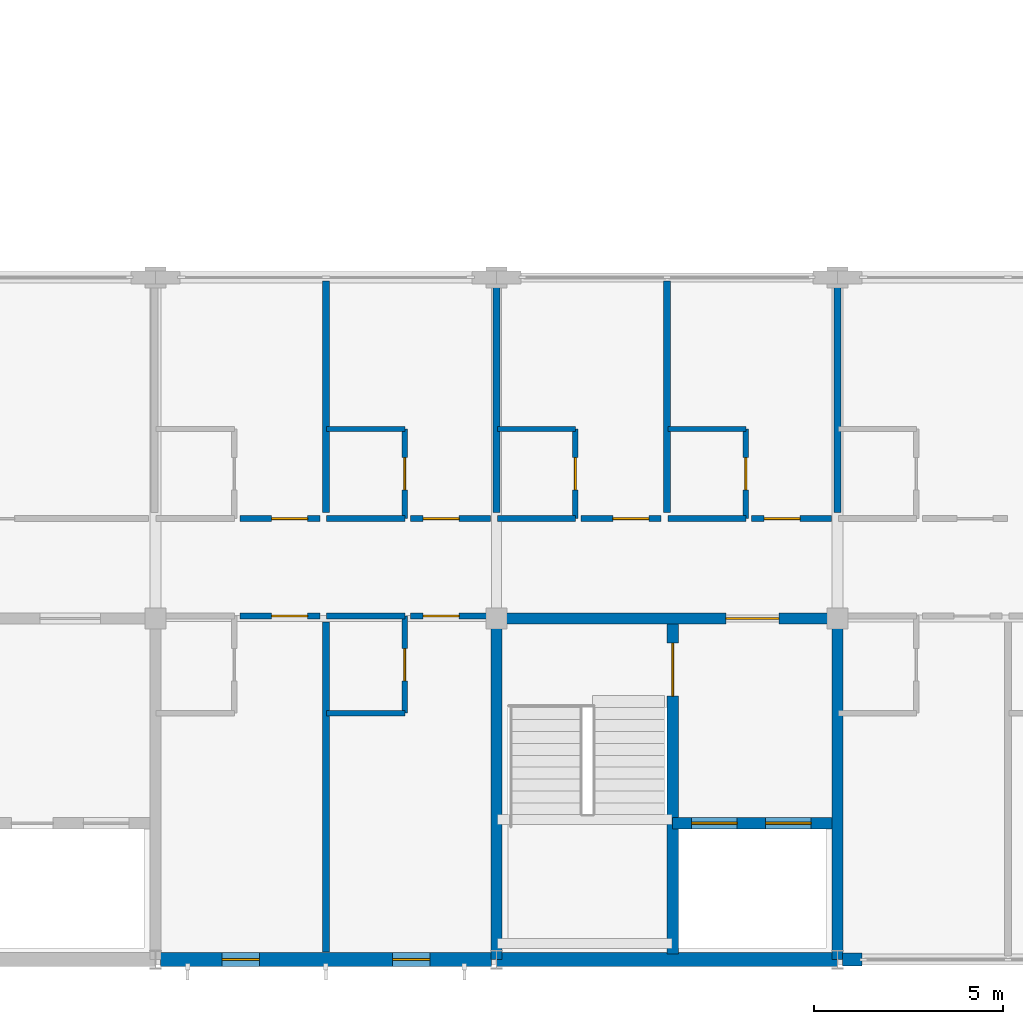
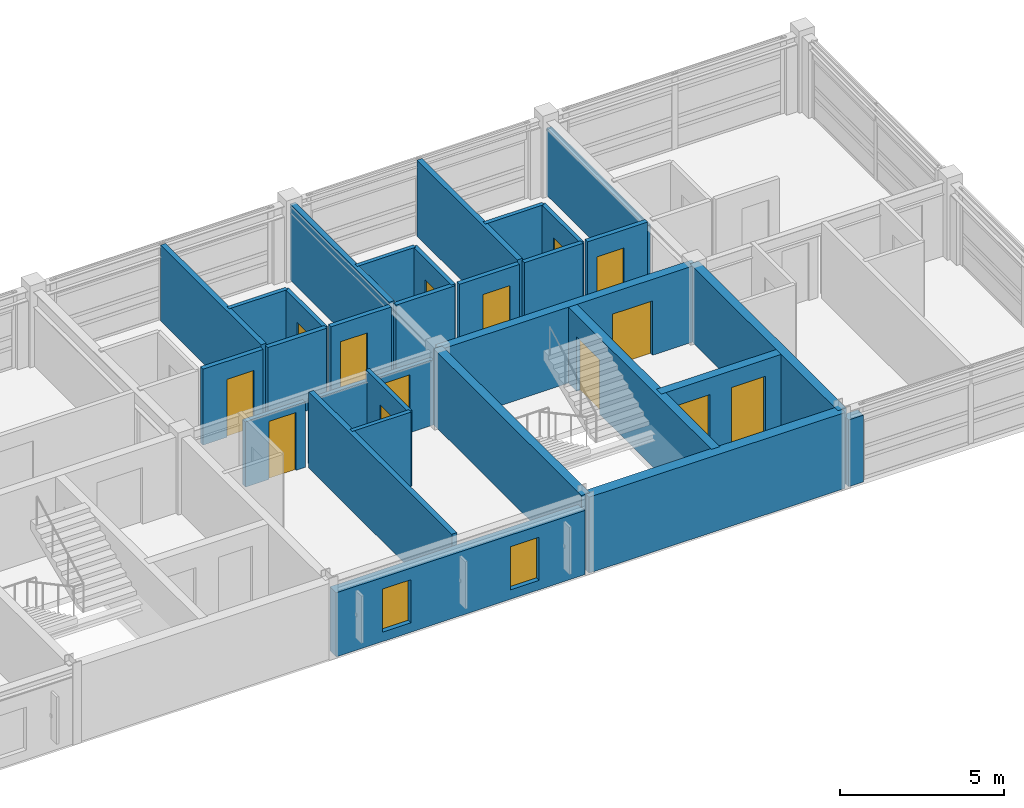
# One storey, part 18 of 30: 31 walls, 14 doors, 2 windows, 16 openings.
"""IFC4 building model written with IfcOpenShell, lengths in metres."""

from ifc_helpers import new_model, si_unit, direction, frame, frame_2d, origin, place, context, subcontext, project, spatial, rectangle, extrude, material, layer, layer_set, type_object, element, fill, save


model = new_model("IFC4")

# Units and contexts
model_context = context("Model", 3, precision=1e-05, world=origin(), true_north=direction((0.0, 1.0)))
body_context = subcontext(model_context, "Body", "Model", "MODEL_VIEW")
ifc_project = project(units=[si_unit("LENGTHUNIT", "METRE"), si_unit("AREAUNIT", "SQUARE_METRE"), si_unit("VOLUMEUNIT", "CUBIC_METRE"), si_unit("PLANEANGLEUNIT", "RADIAN"), si_unit("MASSUNIT", "GRAM", prefix="KILO")], contexts=[model_context])

# Site, building, storey
site_placement = place(None, origin())
site = spatial("IfcSite", under=ifc_project, at=site_placement, CompositionType="ELEMENT")
building_placement = place(site_placement, origin())
building = spatial("IfcBuilding", under=site, at=building_placement, Name="Palais des Congres Ocreval", CompositionType="ELEMENT")
storey_placement = place(building_placement, frame((0.0, 0.0, 14.56005859375)))
storey = spatial("IfcBuildingStorey", under=building, at=storey_placement, Name="L04", CompositionType="ELEMENT", Elevation=14.56005859375)

# Wall, opening, door
ifc_material_1 = material(Name="Moisture-resistant gypsum board")
ifc_layer_1 = layer(ifc_material_1, 0.139892578125)
ifc_layer_set_1 = layer_set([ifc_layer_1], Name="Bathroom Plumbing Chase Wall 140 Gypsum (Moisture-resistant gypsum board)")
wall_type_1 = type_object("IfcWallType", Name="Bathroom Plumbing Chase Wall 140 Gypsum", PredefinedType="PLUMBINGWALL", material=ifc_layer_set_1)
wall_1_placement = place(storey_placement, frame((51.580078125, 6.5, 0.0), z_axis=(0.0, 0.0, 1.0), x_axis=(0.0, 1.0, 0.0)))
wall_1 = element("IfcWall", 1, at=wall_1_placement, inside=storey, type_object=wall_type_1, Name="Bathroom Plumbing Wall PW03 L04", PredefinedType="PLUMBINGWALL", context=body_context, shape_type="SweptSolid", body=[
    extrude(rectangle(XDim=2.56005859375, YDim=0.139892578125, at=frame_2d((1.280029296875, 0.0))), origin(), (0.0, 0.0, 1.0), 2.81982421875),
])
opening_1_placement = place(wall_1_placement, frame((0.85498046875, 0.0, 0.0)))
opening_1 = element("IfcOpeningElement", 2, at=opening_1_placement, cuts=wall_1, Name="Opening D08", PredefinedType="OPENING", context=body_context, shape_type="SweptSolid", body=[
    extrude(rectangle(XDim=0.85009765625, YDim=2.0400390625, at=frame_2d((0.425048828125, 1.02001953125))), frame((0.0, 0.079833984375, 0.0), z_axis=(0.0, -1.0, 0.0), x_axis=(1.0, 0.0, 0.0)), (0.0, 0.0, 1.0), 0.159912109375),
])
ifc_material_2 = material(Name="Solid French oak", Category="wood")
door_type_1 = type_object("IfcDoorType", Name="En-Suite Bathroom Door 850x2040", OperationType="NOTDEFINED", PredefinedType="DOOR", material=ifc_material_2)
door_1_placement = place(opening_1_placement, origin())
door_1 = element("IfcDoor", 3, at=door_1_placement, inside=storey, type_object=door_type_1, Name="En-Suite Bathroom Door D08 L04", OperationType="SINGLE_SWING_RIGHT", OverallHeight=2.0400390625, OverallWidth=0.85009765625, PredefinedType="DOOR", context=body_context, shape_type="SweptSolid", body=[
    extrude(rectangle(XDim=0.85009765625, YDim=2.0400390625, at=frame_2d((0.425048828125, 1.02001953125))), frame((0.0, 0.02490234375, 0.0), z_axis=(0.0, -1.0, 0.0), x_axis=(1.0, 0.0, 0.0)), (0.0, 0.0, 1.0), 0.050048828125),
])
fill(opening_1, door_1)

# Wall
wall_2_placement = place(storey_placement, frame((49.52001953125, 6.5, 0.0), z_axis=(0.0, 0.0, 1.0), x_axis=(1.0, 0.0, 0.0)))
element("IfcWall", 4, at=wall_2_placement, inside=storey, type_object=wall_type_1, Name="Bathroom Plumbing Wall PW03 L04", PredefinedType="PLUMBINGWALL", context=body_context, shape_type="SweptSolid", body=[
    extrude(rectangle(XDim=2.06005859375, YDim=0.139892578125, at=frame_2d((1.030029296875, 0.0))), origin(), (0.0, 0.0, 1.0), 2.81982421875),
])

# Wall, opening, door
wall_3_placement = place(storey_placement, frame((51.580078125, 11.639892578125, 0.0), z_axis=(0.0, 0.0, 1.0), x_axis=(0.0, 1.0, 0.0)))
wall_3 = element("IfcWall", 5, at=wall_3_placement, inside=storey, type_object=wall_type_1, Name="Bathroom Plumbing Wall PW03 L04", PredefinedType="PLUMBINGWALL", context=body_context, shape_type="SweptSolid", body=[
    extrude(rectangle(XDim=2.360107421875, YDim=0.139892578125, at=frame_2d((1.18017578125, 0.0))), origin(), (0.0, 0.0, 1.0), 2.81982421875),
])
opening_2_placement = place(wall_3_placement, frame((0.7548828125, 0.0, 0.0)))
opening_2 = element("IfcOpeningElement", 6, at=opening_2_placement, cuts=wall_3, Name="Opening D08", PredefinedType="OPENING", context=body_context, shape_type="SweptSolid", body=[
    extrude(rectangle(XDim=0.85009765625, YDim=2.0400390625, at=frame_2d((0.425048828125, 1.02001953125))), frame((0.0, 0.079833984375, 0.0), z_axis=(0.0, -1.0, 0.0), x_axis=(1.0, 0.0, 0.0)), (0.0, 0.0, 1.0), 0.159912109375),
])
door_2_placement = place(opening_2_placement, origin())
door_2 = element("IfcDoor", 7, at=door_2_placement, inside=storey, type_object=door_type_1, Name="En-Suite Bathroom Door D08 L04", OperationType="SINGLE_SWING_LEFT", OverallHeight=2.0400390625, OverallWidth=0.85009765625, PredefinedType="DOOR", context=body_context, shape_type="SweptSolid", body=[
    extrude(rectangle(XDim=0.85009765625, YDim=2.0400390625, at=frame_2d((0.425048828125, 1.02001953125))), frame((0.0, 0.02490234375, 0.0), z_axis=(0.0, -1.0, 0.0), x_axis=(1.0, 0.0, 0.0)), (0.0, 0.0, 1.0), 0.050048828125),
])
fill(opening_2, door_2)

# Wall
wall_4_placement = place(storey_placement, frame((49.52001953125, 14.0, 0.0), z_axis=(0.0, 0.0, 1.0), x_axis=(1.0, 0.0, 0.0)))
element("IfcWall", 8, at=wall_4_placement, inside=storey, type_object=wall_type_1, Name="Bathroom Plumbing Wall PW03 L04", PredefinedType="PLUMBINGWALL", context=body_context, shape_type="SweptSolid", body=[
    extrude(rectangle(XDim=2.06005859375, YDim=0.139892578125, at=frame_2d((1.030029296875, 0.0))), origin(), (0.0, 0.0, 1.0), 2.81982421875),
])

# Wall, opening, door
wall_5_placement = place(storey_placement, frame((56.080078125, 11.639892578125, 0.0), z_axis=(0.0, 0.0, 1.0), x_axis=(0.0, 1.0, 0.0)))
wall_5 = element("IfcWall", 9, at=wall_5_placement, inside=storey, type_object=wall_type_1, Name="Bathroom Plumbing Wall PW03 L04", PredefinedType="PLUMBINGWALL", context=body_context, shape_type="SweptSolid", body=[
    extrude(rectangle(XDim=2.360107421875, YDim=0.139892578125, at=frame_2d((1.18017578125, 0.0))), origin(), (0.0, 0.0, 1.0), 2.81982421875),
])
opening_3_placement = place(wall_5_placement, frame((0.7548828125, 0.0, 0.0)))
opening_3 = element("IfcOpeningElement", 10, at=opening_3_placement, cuts=wall_5, Name="Opening D08", PredefinedType="OPENING", context=body_context, shape_type="SweptSolid", body=[
    extrude(rectangle(XDim=0.85009765625, YDim=2.0400390625, at=frame_2d((0.425048828125, 1.02001953125))), frame((0.0, 0.079833984375, 0.0), z_axis=(0.0, -1.0, 0.0), x_axis=(1.0, 0.0, 0.0)), (0.0, 0.0, 1.0), 0.159912109375),
])
door_3_placement = place(opening_3_placement, origin())
door_3 = element("IfcDoor", 11, at=door_3_placement, inside=storey, type_object=door_type_1, Name="En-Suite Bathroom Door D08 L04", OperationType="SINGLE_SWING_RIGHT", OverallHeight=2.0400390625, OverallWidth=0.85009765625, PredefinedType="DOOR", context=body_context, shape_type="SweptSolid", body=[
    extrude(rectangle(XDim=0.85009765625, YDim=2.0400390625, at=frame_2d((0.425048828125, 1.02001953125))), frame((0.0, 0.02490234375, 0.0), z_axis=(0.0, -1.0, 0.0), x_axis=(1.0, 0.0, 0.0)), (0.0, 0.0, 1.0), 0.050048828125),
])
fill(opening_3, door_3)

# Wall
wall_6_placement = place(storey_placement, frame((54.02001953125, 14.0, 0.0), z_axis=(0.0, 0.0, 1.0), x_axis=(1.0, 0.0, 0.0)))
element("IfcWall", 12, at=wall_6_placement, inside=storey, type_object=wall_type_1, Name="Bathroom Plumbing Wall PW03 L04", PredefinedType="PLUMBINGWALL", context=body_context, shape_type="SweptSolid", body=[
    extrude(rectangle(XDim=2.06005859375, YDim=0.139892578125, at=frame_2d((1.030029296875, 0.0))), origin(), (0.0, 0.0, 1.0), 2.81982421875),
])

# Wall, opening, door
wall_7_placement = place(storey_placement, frame((60.580078125, 11.639892578125, 0.0), z_axis=(0.0, 0.0, 1.0), x_axis=(0.0, 1.0, 0.0)))
wall_7 = element("IfcWall", 13, at=wall_7_placement, inside=storey, type_object=wall_type_1, Name="Bathroom Plumbing Wall PW03 L04", PredefinedType="PLUMBINGWALL", context=body_context, shape_type="SweptSolid", body=[
    extrude(rectangle(XDim=2.360107421875, YDim=0.139892578125, at=frame_2d((1.18017578125, 0.0))), origin(), (0.0, 0.0, 1.0), 2.81982421875),
])
opening_4_placement = place(wall_7_placement, frame((0.7548828125, 0.0, 0.0)))
opening_4 = element("IfcOpeningElement", 14, at=opening_4_placement, cuts=wall_7, Name="Opening D08", PredefinedType="OPENING", context=body_context, shape_type="SweptSolid", body=[
    extrude(rectangle(XDim=0.85009765625, YDim=2.0400390625, at=frame_2d((0.425048828125, 1.02001953125))), frame((0.0, 0.079833984375, 0.0), z_axis=(0.0, -1.0, 0.0), x_axis=(1.0, 0.0, 0.0)), (0.0, 0.0, 1.0), 0.159912109375),
])
door_4_placement = place(opening_4_placement, origin())
door_4 = element("IfcDoor", 15, at=door_4_placement, inside=storey, type_object=door_type_1, Name="En-Suite Bathroom Door D08 L04", OperationType="SINGLE_SWING_LEFT", OverallHeight=2.0400390625, OverallWidth=0.85009765625, PredefinedType="DOOR", context=body_context, shape_type="SweptSolid", body=[
    extrude(rectangle(XDim=0.85009765625, YDim=2.0400390625, at=frame_2d((0.425048828125, 1.02001953125))), frame((0.0, 0.02490234375, 0.0), z_axis=(0.0, -1.0, 0.0), x_axis=(1.0, 0.0, 0.0)), (0.0, 0.0, 1.0), 0.050048828125),
])
fill(opening_4, door_4)

# Walls
wall_8_placement = place(storey_placement, frame((58.52001953125, 14.0, 0.0), z_axis=(0.0, 0.0, 1.0), x_axis=(1.0, 0.0, 0.0)))
element("IfcWall", 16, at=wall_8_placement, inside=storey, type_object=wall_type_1, Name="Bathroom Plumbing Wall PW03 L04", PredefinedType="PLUMBINGWALL", context=body_context, shape_type="SweptSolid", body=[
    extrude(rectangle(XDim=2.06005859375, YDim=0.139892578125, at=frame_2d((1.030029296875, 0.0))), origin(), (0.0, 0.0, 1.0), 2.81982421875),
])
ifc_material_3 = material(Name="Concrete C40/50", Category="concrete")
ifc_layer_2 = layer(ifc_material_3, 0.300048828125)
ifc_layer_set_2 = layer_set([ifc_layer_2], Name="Core Shear Wall 300 Concrete C40/50")
wall_type_2 = type_object("IfcWallType", Name="Core Shear Wall 300 Concrete C40/50", PredefinedType="SHEAR", material=ifc_layer_set_2)
wall_9_placement = place(storey_placement, frame((63.0, 0.0, 0.0), z_axis=(0.0, 0.0, 1.0), x_axis=(0.0, 1.0, 0.0)))
element("IfcWall", 17, at=wall_9_placement, inside=storey, type_object=wall_type_2, Name="Core Shear Wall SC04 L04 E", PredefinedType="SHEAR", context=body_context, shape_type="SweptSolid", body=[
    extrude(rectangle(XDim=9.0, YDim=0.300048828125, at=frame_2d((4.5, 0.0))), origin(), (0.0, 0.0, 1.0), 2.81982421875),
])

# Wall, opening, door
wall_10_placement = place(storey_placement, frame((54.0, 9.0, 0.0), z_axis=(0.0, 0.0, 1.0), x_axis=(1.0, 0.0, 0.0)))
wall_10 = element("IfcWall", 18, at=wall_10_placement, inside=storey, type_object=wall_type_2, Name="Core Shear Wall SC04 L04 N", PredefinedType="SHEAR", context=body_context, shape_type="SweptSolid", body=[
    extrude(rectangle(XDim=9.0, YDim=0.300048828125, at=frame_2d((4.5, 0.0))), origin(), (0.0, 0.0, 1.0), 2.81982421875),
])
opening_5_placement = place(wall_10_placement, frame((6.050048828125, 0.0, 0.0)))
opening_5 = element("IfcOpeningElement", 19, at=opening_5_placement, cuts=wall_10, Name="Opening D03", PredefinedType="OPENING", context=body_context, shape_type="SweptSolid", body=[
    extrude(rectangle(XDim=1.39990234375, YDim=2.02001953125, at=frame_2d((0.699951171875, 1.010009765625))), frame((0.0, 0.159912109375, 0.0), z_axis=(0.0, -1.0, 0.0), x_axis=(1.0, 0.0, 0.0)), (0.0, 0.0, 1.0), 0.320068359375),
])
ifc_material_4 = material(Name="Painted fire-rated steel", Category="steel")
door_type_2 = type_object("IfcDoorType", Name="Core Lobby Rated Door 1400x2020", OperationType="NOTDEFINED", PredefinedType="DOOR", material=ifc_material_4)
door_5_placement = place(opening_5_placement, origin())
door_5 = element("IfcDoor", 20, at=door_5_placement, inside=storey, type_object=door_type_2, Name="Lobby Entrance Door SC04 L04", OperationType="DOUBLE_DOOR_SINGLE_SWING", OverallHeight=2.02001953125, OverallWidth=1.39990234375, PredefinedType="DOOR", context=body_context, shape_type="SweptSolid", body=[
    extrude(rectangle(XDim=1.39990234375, YDim=2.02001953125, at=frame_2d((0.699951171875, 1.010009765625))), frame((0.0, 0.02490234375, 0.0), z_axis=(0.0, -1.0, 0.0), x_axis=(1.0, 0.0, 0.0)), (0.0, 0.0, 1.0), 0.050048828125),
])
fill(opening_5, door_5)

# Wall
wall_11_placement = place(storey_placement, frame((54.0, 0.0, 0.0), z_axis=(0.0, 0.0, 1.0), x_axis=(0.0, 1.0, 0.0)))
element("IfcWall", 21, at=wall_11_placement, inside=storey, type_object=wall_type_2, Name="Core Shear Wall SC04 L04 W", PredefinedType="SHEAR", context=body_context, shape_type="SweptSolid", body=[
    extrude(rectangle(XDim=9.0, YDim=0.300048828125, at=frame_2d((4.5, 0.0))), origin(), (0.0, 0.0, 1.0), 2.81982421875),
])

# Wall, opening, door
wall_12_placement = place(storey_placement, frame((58.64990234375, 0.14990234375, 0.0), z_axis=(0.0, 0.0, 1.0), x_axis=(0.0, 1.0, 0.0)))
wall_12 = element("IfcWall", 22, at=wall_12_placement, inside=storey, type_object=wall_type_2, Name="Core Spine Shear Wall SC04 L04", PredefinedType="SHEAR", context=body_context, shape_type="SweptSolid", body=[
    extrude(rectangle(XDim=8.7001953125, YDim=0.300048828125, at=frame_2d((4.35009765625, 0.0))), origin(), (0.0, 0.0, 1.0), 2.81982421875),
])
opening_6_placement = place(wall_12_placement, frame((6.800048828125, 0.0, 0.0)))
opening_6 = element("IfcOpeningElement", 23, at=opening_6_placement, cuts=wall_12, Name="Opening D03", PredefinedType="OPENING", context=body_context, shape_type="SweptSolid", body=[
    extrude(rectangle(XDim=1.39990234375, YDim=2.02001953125, at=frame_2d((0.699951171875, 1.010009765625))), frame((0.0, 0.159912109375, 0.0), z_axis=(0.0, -1.0, 0.0), x_axis=(1.0, 0.0, 0.0)), (0.0, 0.0, 1.0), 0.320068359375),
])
door_6_placement = place(opening_6_placement, origin())
door_6 = element("IfcDoor", 24, at=door_6_placement, inside=storey, type_object=door_type_2, Name="Protected Exit Stair Door ST04 L04", OperationType="SINGLE_SWING_RIGHT", OverallHeight=2.02001953125, OverallWidth=1.39990234375, PredefinedType="DOOR", context=body_context, shape_type="SweptSolid", body=[
    extrude(rectangle(XDim=1.39990234375, YDim=2.02001953125, at=frame_2d((0.699951171875, 1.010009765625))), frame((0.0, 0.02490234375, 0.0), z_axis=(0.0, -1.0, 0.0), x_axis=(1.0, 0.0, 0.0)), (0.0, 0.0, 1.0), 0.050048828125),
])
fill(opening_6, door_6)

# Wall, openings, doors
wall_13_placement = place(storey_placement, frame((58.64990234375, 3.60009765625, 0.0), z_axis=(0.0, 0.0, 1.0), x_axis=(1.0, 0.0, 0.0)))
wall_13 = element("IfcWall", 25, at=wall_13_placement, inside=storey, type_object=wall_type_2, Name="Lift Shaft Front Wall SC04 L04", PredefinedType="SHEAR", context=body_context, shape_type="SweptSolid", body=[
    extrude(rectangle(XDim=4.2001953125, YDim=0.300048828125, at=frame_2d((2.10009765625, 0.0))), origin(), (0.0, 0.0, 1.0), 2.81982421875),
])
opening_7_placement = place(wall_13_placement, frame((0.5, 0.0, 0.0)))
opening_7 = element("IfcOpeningElement", 26, at=opening_7_placement, cuts=wall_13, Name="Opening LD02", PredefinedType="OPENING", context=body_context, shape_type="SweptSolid", body=[
    extrude(rectangle(XDim=1.199951171875, YDim=2.199951171875, at=frame_2d((0.60009765625, 1.10009765625))), frame((0.0, 0.159912109375, 0.0), z_axis=(0.0, -1.0, 0.0), x_axis=(1.0, 0.0, 0.0)), (0.0, 0.0, 1.0), 0.320068359375),
])
opening_8_placement = place(wall_13_placement, frame((2.449951171875, 0.0, 0.0)))
opening_8 = element("IfcOpeningElement", 27, at=opening_8_placement, cuts=wall_13, Name="Opening LD02", PredefinedType="OPENING", context=body_context, shape_type="SweptSolid", body=[
    extrude(rectangle(XDim=1.199951171875, YDim=2.199951171875, at=frame_2d((0.60009765625, 1.10009765625))), frame((0.0, 0.159912109375, 0.0), z_axis=(0.0, -1.0, 0.0), x_axis=(1.0, 0.0, 0.0)), (0.0, 0.0, 1.0), 0.320068359375),
])
ifc_material_5 = material(Name="Anodized bronze steel", Category="steel")
door_type_3 = type_object("IfcDoorType", Name="Passenger and Service Lift Sliding Door 1200x2200", OperationType="NOTDEFINED", PredefinedType="DOOR", material=ifc_material_5)
door_7_placement = place(opening_7_placement, origin())
door_7 = element("IfcDoor", 28, at=door_7_placement, inside=storey, type_object=door_type_3, Name="Lift Landing Sliding Door PL4 L04", OperationType="DOUBLE_DOOR_SLIDING", OverallHeight=2.199951171875, OverallWidth=1.199951171875, PredefinedType="DOOR", context=body_context, shape_type="SweptSolid", body=[
    extrude(rectangle(XDim=1.199951171875, YDim=2.199951171875, at=frame_2d((0.60009765625, 1.10009765625))), frame((0.0, 0.02490234375, 0.0), z_axis=(0.0, -1.0, 0.0), x_axis=(1.0, 0.0, 0.0)), (0.0, 0.0, 1.0), 0.050048828125),
])
fill(opening_7, door_7)
door_8_placement = place(opening_8_placement, origin())
door_8 = element("IfcDoor", 29, at=door_8_placement, inside=storey, type_object=door_type_3, Name="Lift Landing Sliding Door BL1 L04", OperationType="DOUBLE_DOOR_SLIDING", OverallHeight=2.199951171875, OverallWidth=1.199951171875, PredefinedType="DOOR", context=body_context, shape_type="SweptSolid", body=[
    extrude(rectangle(XDim=1.199951171875, YDim=2.199951171875, at=frame_2d((0.60009765625, 1.10009765625))), frame((0.0, 0.02490234375, 0.0), z_axis=(0.0, -1.0, 0.0), x_axis=(1.0, 0.0, 0.0)), (0.0, 0.0, 1.0), 0.050048828125),
])
fill(opening_8, door_8)

# Walls
ifc_material_6 = material(Name="Gypsum acoustic partition")
ifc_layer_3 = layer(ifc_material_6, 0.159912109375)
ifc_layer_set_3 = layer_set([ifc_layer_3], Name="Corridor Fire Partition 160 Gypsum (Gypsum acoustic partition)")
wall_type_3 = type_object("IfcWallType", Name="Corridor Fire Partition 160 Gypsum", PredefinedType="PARTITIONING", material=ifc_layer_set_3)
wall_14_placement = place(storey_placement, frame((49.52001953125, 9.06005859375, 0.0), z_axis=(0.0, 0.0, 1.0), x_axis=(1.0, 0.0, 0.0)))
element("IfcWall", 30, at=wall_14_placement, inside=storey, type_object=wall_type_3, Name="Corridor Partition IW03 L04", PredefinedType="PARTITIONING", context=body_context, shape_type="SweptSolid", body=[
    extrude(rectangle(XDim=2.06005859375, YDim=0.159912109375, at=frame_2d((1.030029296875, 0.0))), origin(), (0.0, 0.0, 1.0), 2.419921875),
])
for number, where, z_axis, x_axis, name in (
    (31, (49.52001953125, 11.639892578125, 0.0), (0.0, 0.0, 1.0), (1.0, 0.0, 0.0), "Corridor Partition IW03 L04"),
    (32, (54.02001953125, 11.639892578125, 0.0), (0.0, 0.0, 1.0), (1.0, 0.0, 0.0), "Corridor Partition IW03 L04"),
    (33, (58.52001953125, 11.639892578125, 0.0), (0.0, 0.0, 1.0), (1.0, 0.0, 0.0), "Corridor Partition IW03 L04"),
):
    element("IfcWall", number, at=place(storey_placement, frame(where, z_axis=z_axis, x_axis=x_axis)), inside=storey, type_object=wall_type_3, Name=name, PredefinedType="PARTITIONING", context=body_context, shape_type="SweptSolid", body=[
        extrude(rectangle(XDim=2.06005859375, YDim=0.159912109375, at=frame_2d((1.030029296875, 0.0))), origin(), (0.0, 0.0, 1.0), 2.81982421875),
    ])

# Wall, opening, door
wall_15_placement = place(storey_placement, frame((47.235107421875, 9.06494140625, 0.0), z_axis=(0.0, 0.0, 1.0), x_axis=(1.0, 0.0, 0.0)))
wall_15 = element("IfcWall", 34, at=wall_15_placement, inside=storey, type_object=wall_type_3, Name="Interior Partition IW03 L04", PredefinedType="PARTITIONING", context=body_context, shape_type="SweptSolid", body=[
    extrude(rectangle(XDim=2.10986328125, YDim=0.159912109375, at=frame_2d((1.054931640625, 0.0))), origin(), (0.0, 0.0, 1.0), 2.419921875),
])
opening_9_placement = place(wall_15_placement, frame((0.833251953125, 0.0, 0.0)))
opening_9 = element("IfcOpeningElement", 35, at=opening_9_placement, cuts=wall_15, Name="Opening D05", PredefinedType="OPENING", context=body_context, shape_type="SweptSolid", body=[
    extrude(rectangle(XDim=0.949951171875, YDim=2.14990234375, at=frame_2d((0.47509765625, 1.074951171875))), frame((0.0, 0.08984375, 0.0), z_axis=(0.0, -1.0, 0.0), x_axis=(1.0, 0.0, 0.0)), (0.0, 0.0, 1.0), 0.179931640625),
])
door_type_4 = type_object("IfcDoorType", Name="Hotel Guestroom Entrance Door 950x2150", OperationType="NOTDEFINED", PredefinedType="DOOR", material=ifc_material_2)
door_9_placement = place(opening_9_placement, origin())
door_9 = element("IfcDoor", 36, at=door_9_placement, inside=storey, type_object=door_type_4, Name="Interior Door D05 L04", OperationType="SINGLE_SWING_RIGHT", OverallHeight=2.14990234375, OverallWidth=0.949951171875, PredefinedType="DOOR", context=body_context, shape_type="SweptSolid", body=[
    extrude(rectangle(XDim=0.949951171875, YDim=2.14990234375, at=frame_2d((0.47509765625, 1.074951171875))), frame((0.0, 0.02490234375, 0.0), z_axis=(0.0, -1.0, 0.0), x_axis=(1.0, 0.0, 0.0)), (0.0, 0.0, 1.0), 0.050048828125),
])
fill(opening_9, door_9)

wall_16_placement = place(storey_placement, frame((51.735107421875, 9.06494140625, 0.0), z_axis=(0.0, 0.0, 1.0), x_axis=(1.0, 0.0, 0.0)))
wall_16 = element("IfcWall", 37, at=wall_16_placement, inside=storey, type_object=wall_type_3, Name="Interior Partition IW03 L04", PredefinedType="PARTITIONING", context=body_context, shape_type="SweptSolid", body=[
    extrude(rectangle(XDim=2.10986328125, YDim=0.159912109375, at=frame_2d((1.054931640625, 0.0))), origin(), (0.0, 0.0, 1.0), 2.419921875),
])
opening_10_placement = place(wall_16_placement, frame((0.326904296875, 0.0, 0.0)))
opening_10 = element("IfcOpeningElement", 38, at=opening_10_placement, cuts=wall_16, Name="Opening D05", PredefinedType="OPENING", context=body_context, shape_type="SweptSolid", body=[
    extrude(rectangle(XDim=0.949951171875, YDim=2.14990234375, at=frame_2d((0.47509765625, 1.074951171875))), frame((0.0, 0.08984375, 0.0), z_axis=(0.0, -1.0, 0.0), x_axis=(1.0, 0.0, 0.0)), (0.0, 0.0, 1.0), 0.179931640625),
])
door_10_placement = place(opening_10_placement, origin())
door_10 = element("IfcDoor", 39, at=door_10_placement, inside=storey, type_object=door_type_4, Name="Interior Door D05 L04", OperationType="SINGLE_SWING_LEFT", OverallHeight=2.14990234375, OverallWidth=0.949951171875, PredefinedType="DOOR", context=body_context, shape_type="SweptSolid", body=[
    extrude(rectangle(XDim=0.949951171875, YDim=2.14990234375, at=frame_2d((0.47509765625, 1.074951171875))), frame((0.0, 0.02490234375, 0.0), z_axis=(0.0, -1.0, 0.0), x_axis=(1.0, 0.0, 0.0)), (0.0, 0.0, 1.0), 0.050048828125),
])
fill(opening_10, door_10)

wall_17_placement = place(storey_placement, frame((47.235107421875, 11.635009765625, 0.0), z_axis=(0.0, 0.0, 1.0), x_axis=(1.0, 0.0, 0.0)))
wall_17 = element("IfcWall", 40, at=wall_17_placement, inside=storey, type_object=wall_type_3, Name="Interior Partition IW03 L04", PredefinedType="PARTITIONING", context=body_context, shape_type="SweptSolid", body=[
    extrude(rectangle(XDim=2.10986328125, YDim=0.159912109375, at=frame_2d((1.054931640625, 0.0))), origin(), (0.0, 0.0, 1.0), 2.81982421875),
])
opening_11_placement = place(wall_17_placement, frame((0.833251953125, 0.0, 0.0)))
opening_11 = element("IfcOpeningElement", 41, at=opening_11_placement, cuts=wall_17, Name="Opening D05", PredefinedType="OPENING", context=body_context, shape_type="SweptSolid", body=[
    extrude(rectangle(XDim=0.949951171875, YDim=2.14990234375, at=frame_2d((0.47509765625, 1.074951171875))), frame((0.0, 0.08984375, 0.0), z_axis=(0.0, -1.0, 0.0), x_axis=(1.0, 0.0, 0.0)), (0.0, 0.0, 1.0), 0.179931640625),
])
door_11_placement = place(opening_11_placement, origin())
door_11 = element("IfcDoor", 42, at=door_11_placement, inside=storey, type_object=door_type_4, Name="Interior Door D05 L04", OperationType="SINGLE_SWING_LEFT", OverallHeight=2.14990234375, OverallWidth=0.949951171875, PredefinedType="DOOR", context=body_context, shape_type="SweptSolid", body=[
    extrude(rectangle(XDim=0.949951171875, YDim=2.14990234375, at=frame_2d((0.47509765625, 1.074951171875))), frame((0.0, 0.02490234375, 0.0), z_axis=(0.0, -1.0, 0.0), x_axis=(1.0, 0.0, 0.0)), (0.0, 0.0, 1.0), 0.050048828125),
])
fill(opening_11, door_11)

wall_18_placement = place(storey_placement, frame((51.735107421875, 11.635009765625, 0.0), z_axis=(0.0, 0.0, 1.0), x_axis=(1.0, 0.0, 0.0)))
wall_18 = element("IfcWall", 43, at=wall_18_placement, inside=storey, type_object=wall_type_3, Name="Interior Partition IW03 L04", PredefinedType="PARTITIONING", context=body_context, shape_type="SweptSolid", body=[
    extrude(rectangle(XDim=2.10986328125, YDim=0.159912109375, at=frame_2d((1.054931640625, 0.0))), origin(), (0.0, 0.0, 1.0), 2.81982421875),
])
opening_12_placement = place(wall_18_placement, frame((0.326904296875, 0.0, 0.0)))
opening_12 = element("IfcOpeningElement", 44, at=opening_12_placement, cuts=wall_18, Name="Opening D05", PredefinedType="OPENING", context=body_context, shape_type="SweptSolid", body=[
    extrude(rectangle(XDim=0.949951171875, YDim=2.14990234375, at=frame_2d((0.47509765625, 1.074951171875))), frame((0.0, 0.08984375, 0.0), z_axis=(0.0, -1.0, 0.0), x_axis=(1.0, 0.0, 0.0)), (0.0, 0.0, 1.0), 0.179931640625),
])
door_12_placement = place(opening_12_placement, origin())
door_12 = element("IfcDoor", 45, at=door_12_placement, inside=storey, type_object=door_type_4, Name="Interior Door D05 L04", OperationType="SINGLE_SWING_RIGHT", OverallHeight=2.14990234375, OverallWidth=0.949951171875, PredefinedType="DOOR", context=body_context, shape_type="SweptSolid", body=[
    extrude(rectangle(XDim=0.949951171875, YDim=2.14990234375, at=frame_2d((0.47509765625, 1.074951171875))), frame((0.0, 0.02490234375, 0.0), z_axis=(0.0, -1.0, 0.0), x_axis=(1.0, 0.0, 0.0)), (0.0, 0.0, 1.0), 0.050048828125),
])
fill(opening_12, door_12)

wall_19_placement = place(storey_placement, frame((56.235107421875, 11.635009765625, 0.0), z_axis=(0.0, 0.0, 1.0), x_axis=(1.0, 0.0, 0.0)))
wall_19 = element("IfcWall", 46, at=wall_19_placement, inside=storey, type_object=wall_type_3, Name="Interior Partition IW03 L04", PredefinedType="PARTITIONING", context=body_context, shape_type="SweptSolid", body=[
    extrude(rectangle(XDim=2.10986328125, YDim=0.159912109375, at=frame_2d((1.054931640625, 0.0))), origin(), (0.0, 0.0, 1.0), 2.81982421875),
])
opening_13_placement = place(wall_19_placement, frame((0.833251953125, 0.0, 0.0)))
opening_13 = element("IfcOpeningElement", 47, at=opening_13_placement, cuts=wall_19, Name="Opening D05", PredefinedType="OPENING", context=body_context, shape_type="SweptSolid", body=[
    extrude(rectangle(XDim=0.949951171875, YDim=2.14990234375, at=frame_2d((0.47509765625, 1.074951171875))), frame((0.0, 0.08984375, 0.0), z_axis=(0.0, -1.0, 0.0), x_axis=(1.0, 0.0, 0.0)), (0.0, 0.0, 1.0), 0.179931640625),
])
door_13_placement = place(opening_13_placement, origin())
door_13 = element("IfcDoor", 48, at=door_13_placement, inside=storey, type_object=door_type_4, Name="Interior Door D05 L04", OperationType="SINGLE_SWING_LEFT", OverallHeight=2.14990234375, OverallWidth=0.949951171875, PredefinedType="DOOR", context=body_context, shape_type="SweptSolid", body=[
    extrude(rectangle(XDim=0.949951171875, YDim=2.14990234375, at=frame_2d((0.47509765625, 1.074951171875))), frame((0.0, 0.02490234375, 0.0), z_axis=(0.0, -1.0, 0.0), x_axis=(1.0, 0.0, 0.0)), (0.0, 0.0, 1.0), 0.050048828125),
])
fill(opening_13, door_13)

wall_20_placement = place(storey_placement, frame((60.735107421875, 11.635009765625, 0.0), z_axis=(0.0, 0.0, 1.0), x_axis=(1.0, 0.0, 0.0)))
wall_20 = element("IfcWall", 49, at=wall_20_placement, inside=storey, type_object=wall_type_3, Name="Interior Partition IW03 L04", PredefinedType="PARTITIONING", context=body_context, shape_type="SweptSolid", body=[
    extrude(rectangle(XDim=2.10986328125, YDim=0.159912109375, at=frame_2d((1.054931640625, 0.0))), origin(), (0.0, 0.0, 1.0), 2.81982421875),
])
opening_14_placement = place(wall_20_placement, frame((0.326904296875, 0.0, 0.0)))
opening_14 = element("IfcOpeningElement", 50, at=opening_14_placement, cuts=wall_20, Name="Opening D05", PredefinedType="OPENING", context=body_context, shape_type="SweptSolid", body=[
    extrude(rectangle(XDim=0.949951171875, YDim=2.14990234375, at=frame_2d((0.47509765625, 1.074951171875))), frame((0.0, 0.08984375, 0.0), z_axis=(0.0, -1.0, 0.0), x_axis=(1.0, 0.0, 0.0)), (0.0, 0.0, 1.0), 0.179931640625),
])
door_14_placement = place(opening_14_placement, origin())
door_14 = element("IfcDoor", 51, at=door_14_placement, inside=storey, type_object=door_type_4, Name="Interior Door D05 L04", OperationType="SINGLE_SWING_RIGHT", OverallHeight=2.14990234375, OverallWidth=0.949951171875, PredefinedType="DOOR", context=body_context, shape_type="SweptSolid", body=[
    extrude(rectangle(XDim=0.949951171875, YDim=2.14990234375, at=frame_2d((0.47509765625, 1.074951171875))), frame((0.0, 0.02490234375, 0.0), z_axis=(0.0, -1.0, 0.0), x_axis=(1.0, 0.0, 0.0)), (0.0, 0.0, 1.0), 0.050048828125),
])
fill(opening_14, door_14)

# Walls
ifc_layer_4 = layer(ifc_material_6, 0.179931640625)
ifc_layer_set_4 = layer_set([ifc_layer_4], Name="Hotel Inter-Room Acoustic Partition 180 Gypsum (Gypsum acoustic partition)")
wall_type_4 = type_object("IfcWallType", Name="Hotel Inter-Room Acoustic Partition 180 Gypsum", PredefinedType="PARTITIONING", material=ifc_layer_set_4)
wall_21_placement = place(storey_placement, frame((49.5, 0.195068359375, 0.0), z_axis=(0.0, 0.0, 1.0), x_axis=(0.0, 1.0, 0.0)))
element("IfcWall", 52, at=wall_21_placement, inside=storey, type_object=wall_type_4, Name="Hotel Party Partition IW02 L04", PredefinedType="PARTITIONING", context=body_context, shape_type="SweptSolid", body=[
    extrude(rectangle(XDim=8.7099609375, YDim=0.179931640625, at=frame_2d((4.35498046875, 0.0))), origin(), (0.0, 0.0, 1.0), 2.81982421875),
])
wall_22_placement = place(storey_placement, frame((49.5, 11.794921875, 0.0), z_axis=(0.0, 0.0, 1.0), x_axis=(0.0, 1.0, 0.0)))
element("IfcWall", 53, at=wall_22_placement, inside=storey, type_object=wall_type_4, Name="Hotel Party Partition IW02 L04", PredefinedType="PARTITIONING", context=body_context, shape_type="SweptSolid", body=[
    extrude(rectangle(XDim=6.110107421875, YDim=0.179931640625, at=frame_2d((3.05517578125, 0.0))), origin(), (0.0, 0.0, 1.0), 2.81982421875),
])
wall_23_placement = place(storey_placement, frame((54.0, 11.794921875, 0.0), z_axis=(0.0, 0.0, 1.0), x_axis=(0.0, 1.0, 0.0)))
element("IfcWall", 54, at=wall_23_placement, inside=storey, type_object=wall_type_4, Name="Hotel Party Partition IW02 L04", PredefinedType="PARTITIONING", context=body_context, shape_type="SweptSolid", body=[
    extrude(rectangle(XDim=6.030029296875, YDim=0.179931640625, at=frame_2d((3.01513671875, 0.0))), origin(), (0.0, 0.0, 1.0), 2.81982421875),
])
wall_24_placement = place(storey_placement, frame((58.5, 11.794921875, 0.0), z_axis=(0.0, 0.0, 1.0), x_axis=(0.0, 1.0, 0.0)))
element("IfcWall", 55, at=wall_24_placement, inside=storey, type_object=wall_type_4, Name="Hotel Party Partition IW02 L04", PredefinedType="PARTITIONING", context=body_context, shape_type="SweptSolid", body=[
    extrude(rectangle(XDim=6.110107421875, YDim=0.179931640625, at=frame_2d((3.05517578125, 0.0))), origin(), (0.0, 0.0, 1.0), 2.81982421875),
])
wall_25_placement = place(storey_placement, frame((63.0, 11.794921875, 0.0), z_axis=(0.0, 0.0, 1.0), x_axis=(0.0, 1.0, 0.0)))
element("IfcWall", 56, at=wall_25_placement, inside=storey, type_object=wall_type_4, Name="Hotel Party Partition IW02 L04", PredefinedType="PARTITIONING", context=body_context, shape_type="SweptSolid", body=[
    extrude(rectangle(XDim=6.030029296875, YDim=0.179931640625, at=frame_2d((3.01513671875, 0.0))), origin(), (0.0, 0.0, 1.0), 2.489990234375),
])
ifc_layer_5 = layer(ifc_material_3, 0.3798828125)
ifc_layer_set_5 = layer_set([ifc_layer_5], Name="Lutetian Limestone Street Wall 380 Concrete C40/50")
wall_type_5 = type_object("IfcWallType", Name="Lutetian Limestone Street Wall 380 Concrete C40/50", PredefinedType="SOLIDWALL", material=ifc_layer_set_5)
wall_26_placement = place(storey_placement, frame((63.0, 0.0, 0.0), z_axis=(0.0, 0.0, 1.0), x_axis=(-1.0, 0.0, 0.0)))
element("IfcWall", 57, at=wall_26_placement, inside=storey, type_object=wall_type_5, Name="Core Perimeter Shear Wall EW03 SC04 L04", PredefinedType="SOLIDWALL", context=body_context, shape_type="SweptSolid", body=[
    extrude(rectangle(XDim=9.0, YDim=0.3798828125, at=frame_2d((4.5, 0.0))), origin(), (0.0, 0.0, 1.0), 2.81982421875),
])

# Wall, openings, windows
wall_27_placement = place(storey_placement, frame((53.8701171875, 0.0, 0.0), z_axis=(0.0, 0.0, 1.0), x_axis=(-1.0, 0.0, 0.0)))
wall_27 = element("IfcWall", 58, at=wall_27_placement, inside=storey, type_object=wall_type_5, Name="Exterior Wall EW03 L04", PredefinedType="SOLIDWALL", context=body_context, shape_type="SweptSolid", body=[
    extrude(rectangle(XDim=8.740234375, YDim=0.3798828125, at=frame_2d((4.3701171875, 0.0))), origin(), (0.0, 0.0, 1.0), 2.3798828125),
])
opening_15_placement = place(wall_27_placement, frame((1.6201171875, 0.0, 0.35009765625)))
opening_15 = element("IfcOpeningElement", 59, at=opening_15_placement, cuts=wall_27, Name="Opening WN18", PredefinedType="OPENING", context=body_context, shape_type="SweptSolid", body=[
    extrude(rectangle(XDim=1.0, YDim=1.60009765625, at=frame_2d((0.5, 0.800048828125))), frame((0.0, 0.199951171875, 0.0), z_axis=(0.0, -1.0, 0.0), x_axis=(1.0, 0.0, 0.0)), (0.0, 0.0, 1.0), 0.39990234375),
])
opening_16_placement = place(wall_27_placement, frame((6.1201171875, 0.0, 0.35009765625)))
opening_16 = element("IfcOpeningElement", 60, at=opening_16_placement, cuts=wall_27, Name="Opening WN18", PredefinedType="OPENING", context=body_context, shape_type="SweptSolid", body=[
    extrude(rectangle(XDim=1.0, YDim=1.60009765625, at=frame_2d((0.5, 0.800048828125))), frame((0.0, 0.199951171875, 0.0), z_axis=(0.0, -1.0, 0.0), x_axis=(1.0, 0.0, 0.0)), (0.0, 0.0, 1.0), 0.39990234375),
])
ifc_material_7 = material(Name="Anodized bronze aluminium and low-E glass", Category="glass")
window_type = type_object("IfcWindowType", Name="Stair and Lobby Daylight Window 1000x1600", PartitioningType="SINGLE_PANEL", PredefinedType="WINDOW", material=ifc_material_7)
window_1_placement = place(opening_15_placement, origin())
window_1 = element("IfcWindow", 61, at=window_1_placement, inside=storey, type_object=window_type, Name="Hotel Facade Window WN18", OverallHeight=1.60009765625, OverallWidth=1.0, PartitioningType="SINGLE_PANEL", PredefinedType="WINDOW", context=body_context, shape_type="SweptSolid", body=[
    extrude(rectangle(XDim=1.0, YDim=1.60009765625, at=frame_2d((0.5, 0.800048828125))), frame((0.0, 0.030029296875, 0.0), z_axis=(0.0, -1.0, 0.0), x_axis=(1.0, 0.0, 0.0)), (0.0, 0.0, 1.0), 0.06005859375),
])
fill(opening_15, window_1)
window_2_placement = place(opening_16_placement, origin())
window_2 = element("IfcWindow", 62, at=window_2_placement, inside=storey, type_object=window_type, Name="Hotel Facade Window WN18", OverallHeight=1.60009765625, OverallWidth=1.0, PartitioningType="SINGLE_PANEL", PredefinedType="WINDOW", context=body_context, shape_type="SweptSolid", body=[
    extrude(rectangle(XDim=1.0, YDim=1.60009765625, at=frame_2d((0.5, 0.800048828125))), frame((0.0, 0.030029296875, 0.0), z_axis=(0.0, -1.0, 0.0), x_axis=(1.0, 0.0, 0.0)), (0.0, 0.0, 1.0), 0.06005859375),
])
fill(opening_16, window_2)

# Wall
ifc_layer_6 = layer(ifc_material_3, 0.340087890625)
ifc_layer_set_6 = layer_set([ifc_layer_6], Name="Ochre Mineral-Lime Courtyard Wall 340 Concrete C40/50")
wall_type_6 = type_object("IfcWallType", Name="Ochre Mineral-Lime Courtyard Wall 340 Concrete C40/50", PredefinedType="SOLIDWALL", material=ifc_layer_set_6)
wall_28_placement = place(storey_placement, frame((63.64990234375, 0.0, 0.0), z_axis=(0.0, 0.0, 1.0), x_axis=(-1.0, 0.0, 0.0)))
element("IfcWall", 63, at=wall_28_placement, inside=storey, type_object=wall_type_6, Name="Facade Pier EW04 L04", PredefinedType="SOLIDWALL", context=body_context, shape_type="SweptSolid", body=[
    extrude(rectangle(XDim=0.52001953125, YDim=0.340087890625, at=frame_2d((0.260009765625, 0.0))), origin(), (0.0, 0.0, 1.0), 2.47998046875),
])

save(model, "model.ifc")
